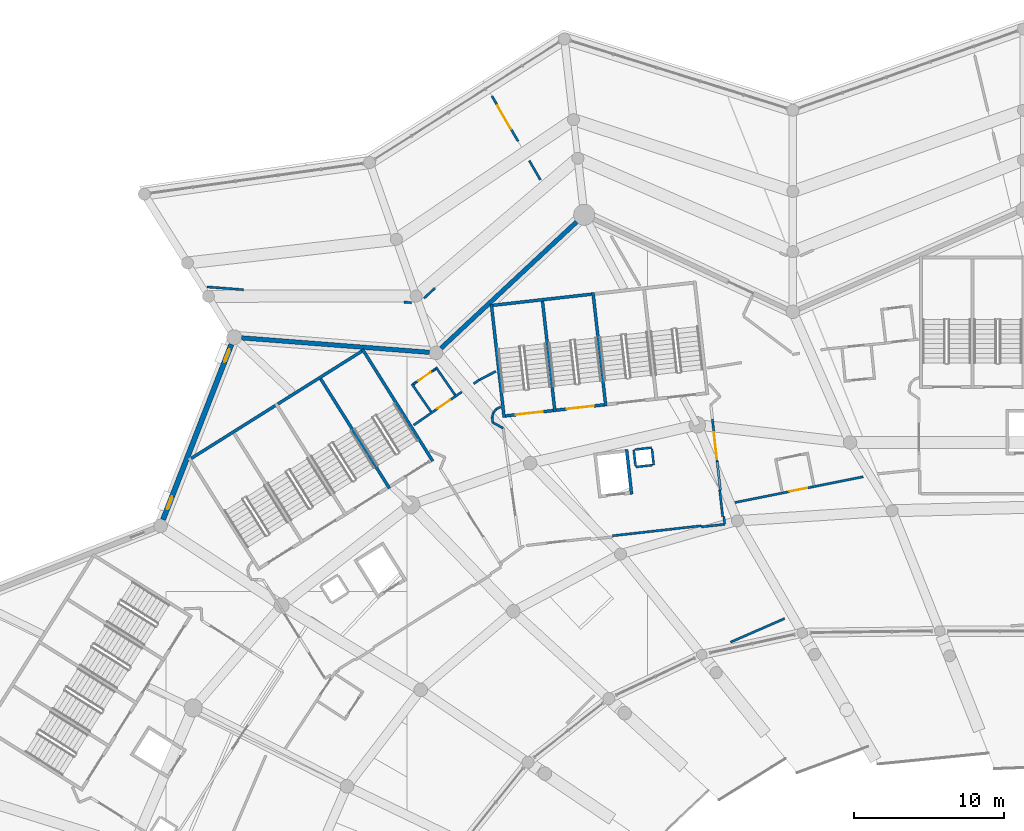
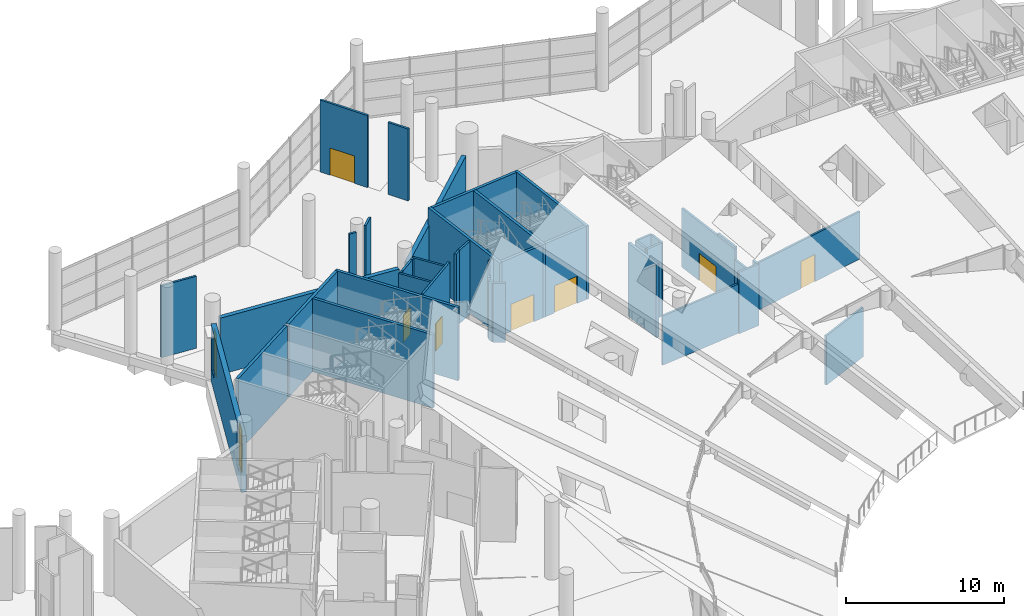
# One storey, part 164 of 249: 44 walls, 7 doors, 2 windows, 9 openings.
"""IFC4 building model written with IfcOpenShell, lengths in metres."""

import ifcopenshell
import ifcopenshell.guid

model = None  # the IFC model being written
_history = None  # IfcOwnerHistory: only IFC2X3 demands one
_inside = {}  # id of a spatial element -> (the spatial element, [elements in it])
_under = {}  # id of a project, library or spatial element -> (it, [spatial elements below it])
_declared = {}  # id of a project -> (the project, [libraries it declares])
_typed = {}  # id of a type object -> (the type object, [elements of that type])
_made_of = {}  # id of a material, layer set ... -> (it, [elements and type objects made of it])


def new_model(schema):
    """Start an empty IFC model of exactly this schema.

    Asked for "IFC4X3", IfcOpenShell would pick the latest addendum, in which some entities
    have other attributes; the version numbers below select the first issue.
    IFC2X3 requires an IfcOwnerHistory on every rooted entity: one is made here for all.
    """
    global model, _history
    if schema == "IFC4X3":
        model = ifcopenshell.file(schema_version=(4, 3, 0, 0))
    else:
        model = ifcopenshell.file(schema=schema)
    _inside.clear()
    _under.clear()
    _declared.clear()
    _typed.clear()
    _made_of.clear()
    _history = None
    if model.schema == "IFC2X3":
        org = make("IfcOrganization", Name="unknown")
        user = make(
            "IfcPersonAndOrganization",
            ThePerson=make("IfcPerson", FamilyName="unknown"),
            TheOrganization=org,
        )
        app = make(
            "IfcApplication",
            ApplicationDeveloper=org,
            Version="unknown",
            ApplicationFullName="unknown",
            ApplicationIdentifier="unknown",
        )
        _history = make(
            "IfcOwnerHistory",
            OwningUser=user,
            OwningApplication=app,
            ChangeAction="ADDED",
            CreationDate=0,
        )
    return model


def make(cls, **values):
    """One entity of the class cls with the attributes given. An attribute that is None is left unset."""
    return model.create_entity(
        cls, **{name: value for name, value in values.items() if value is not None}
    )


def rooted(cls, **values):
    """An entity with a GlobalId (a new one), such as an element, a storey or a relation."""
    return make(cls, GlobalId=ifcopenshell.guid.new(), OwnerHistory=_history, **values)


def si_unit(unit_type, name, prefix=None):
    """IfcSIUnit, for example si_unit("LENGTHUNIT", "METRE", prefix="MILLI")."""
    return make("IfcSIUnit", UnitType=unit_type, Prefix=prefix, Name=name)


def assignment(units):
    """IfcUnitAssignment: the units of a project."""
    return None if units is None else make("IfcUnitAssignment", Units=units)


def point(xyz):
    """IfcCartesianPoint."""
    return None if xyz is None else make("IfcCartesianPoint", Coordinates=xyz)


def direction(xyz):
    """IfcDirection."""
    return None if xyz is None else make("IfcDirection", DirectionRatios=xyz)


def frame(location, z_axis=None, x_axis=None):
    """IfcAxis2Placement3D, a coordinate frame: its origin and axes. An axis left out is left unset."""
    return make(
        "IfcAxis2Placement3D",
        Location=point(location),
        Axis=direction(z_axis),
        RefDirection=direction(x_axis),
    )


def frame_2d(location, x_axis=None):
    """IfcAxis2Placement2D, a coordinate frame in the plane: its origin and x axis."""
    return make(
        "IfcAxis2Placement2D", Location=point(location), RefDirection=direction(x_axis)
    )


def origin():
    """The frame at (0, 0, 0) with its axes left unset."""
    return frame((0.0, 0.0, 0.0))


def place(relative_to, where):
    """IfcLocalPlacement: puts the frame where relative to a parent placement (None: the world)."""
    return make(
        "IfcLocalPlacement", PlacementRelTo=relative_to, RelativePlacement=where
    )


def context(
    kind, dimensions, precision=None, world=None, true_north=None, identifier=None
):
    """IfcGeometricRepresentationContext, for example the 3D "Model" context."""
    return make(
        "IfcGeometricRepresentationContext",
        ContextIdentifier=identifier,
        ContextType=kind,
        CoordinateSpaceDimension=dimensions,
        Precision=precision,
        WorldCoordinateSystem=world,
        TrueNorth=true_north,
    )


def subcontext(parent, identifier, kind, view, scale=None):
    """IfcGeometricRepresentationSubContext, for example "Body" below "Model"."""
    return make(
        "IfcGeometricRepresentationSubContext",
        ContextIdentifier=identifier,
        ContextType=kind,
        ParentContext=parent,
        TargetScale=scale,
        TargetView=view,
    )


def project(units=None, contexts=None):
    """IfcProject with its units and contexts."""
    return rooted(
        "IfcProject",
        Name="project",
        RepresentationContexts=contexts,
        UnitsInContext=assignment(units),
    )


def spatial(cls, under=None, at=None, **own):
    """A site, building, storey or space (cls), placed at a placement, below another one or the project."""
    s = rooted(cls, ObjectPlacement=at, **own)
    if under is not None:
        _under.setdefault(under.id(), (under, []))[1].append(s)
    return s


def profile(cls, at=None, kind="AREA", **sizes):
    """A parametric profile (cls). Its sizes go by their IFC names, for example OverallWidth=200.0."""
    return make(cls, ProfileType=kind, Position=at, **sizes)


def rectangle(**sizes):
    """IfcRectangleProfileDef."""
    return profile("IfcRectangleProfileDef", **sizes)


def extrude(swept, where, along, depth):
    """IfcExtrudedAreaSolid: the profile swept, set in the frame where, extruded along a direction by depth."""
    return make(
        "IfcExtrudedAreaSolid",
        SweptArea=swept,
        Position=where,
        ExtrudedDirection=direction(along),
        Depth=depth,
    )


def shape(context_of_items, identifier, shape_type, items):
    """IfcShapeRepresentation: the items that make up one representation, for example the "Body"."""
    return make(
        "IfcShapeRepresentation",
        ContextOfItems=context_of_items,
        RepresentationIdentifier=identifier,
        RepresentationType=shape_type,
        Items=items,
    )


def material(Name=None, Category=None):
    """IfcMaterial."""
    return make("IfcMaterial", Name=Name, Category=Category)


def layer(
    of_material, thickness, ventilated=None, Name=None, Category=None, Priority=None
):
    """IfcMaterialLayer: one layer of a wall or slab, of a material (None: an air gap)."""
    return make(
        "IfcMaterialLayer",
        Material=of_material,
        LayerThickness=thickness,
        IsVentilated=ventilated,
        Name=Name,
        Category=Category,
        Priority=Priority,
    )


def layer_set(layers, Name=None):
    """IfcMaterialLayerSet."""
    return make("IfcMaterialLayerSet", MaterialLayers=layers, LayerSetName=Name)


def made_of(thing, what):
    """Note that an element or type object is made of a material, layer set ...; save() writes the relation."""
    if what is not None:
        _made_of.setdefault(what.id(), (what, []))[1].append(thing)
    return thing


def type_object(cls, material=None, **own):
    """A type object (cls), such as IfcWallType, which elements share."""
    return made_of(rooted(cls, **own), material)


def element(
    cls,
    number,
    at=None,
    inside=None,
    cuts=None,
    type_object=None,
    material=None,
    context=None,
    identifier="Body",
    shape_type=None,
    held_by="IfcProductDefinitionShape",
    body=None,
    shapes=None,
    **own,
):
    """One element of the class cls, such as IfcWall. Its Tag is "e" and its number.

    at: its placement. inside: the storey or other place that contains it. cuts: it is an
    opening in that element (IfcRelVoidsElement). A single representation is given by context,
    identifier, shape_type and body (its items); several are given by shapes. held_by: the class
    of the entity that holds the representations. save() writes the other relations.
    """
    e = rooted(cls, Tag="e%d" % number, ObjectPlacement=at, **own)
    if body is not None:
        shapes = [shape(context, identifier, shape_type, body)]
    if shapes is not None:
        e.Representation = make(held_by, Representations=shapes)
    if inside is not None:
        _inside.setdefault(inside.id(), (inside, []))[1].append(e)
    if cuts is not None:
        rooted(
            "IfcRelVoidsElement", RelatingBuildingElement=cuts, RelatedOpeningElement=e
        )
    if type_object is not None:
        _typed.setdefault(type_object.id(), (type_object, []))[1].append(e)
    return made_of(e, material)


def fill(opening, filler):
    """IfcRelFillsElement: the door or window that sits in an opening."""
    return rooted(
        "IfcRelFillsElement",
        RelatingOpeningElement=opening,
        RelatedBuildingElement=filler,
    )


def aggregate(whole, parts):
    """IfcRelAggregates: a whole, such as a stair, and the parts it consists of."""
    return rooted("IfcRelAggregates", RelatingObject=whole, RelatedObjects=parts)


def save(model, path):
    """Write the relations noted so far, then the file.

    IfcRelAggregates (storeys below a building ...), IfcRelContainedInSpatialStructure (elements
    in a storey), IfcRelDefinesByType, IfcRelAssociatesMaterial and IfcRelDeclares: one each for
    every whole, place, type object, material and project.
    """
    for whole, parts in _under.values():
        aggregate(whole, parts)
    for where, things in _inside.values():
        rooted(
            "IfcRelContainedInSpatialStructure",
            RelatedElements=things,
            RelatingStructure=where,
        )
    for kind, things in _typed.values():
        rooted("IfcRelDefinesByType", RelatedObjects=things, RelatingType=kind)
    for what, things in _made_of.values():
        rooted("IfcRelAssociatesMaterial", RelatedObjects=things, RelatingMaterial=what)
    for by, libraries in _declared.values():
        rooted("IfcRelDeclares", RelatingContext=by, RelatedDefinitions=libraries)
    model.write(path)


model = new_model("IFC4")

# Units and contexts
model_context = context("Model", 3, precision=1e-05, world=origin(), true_north=direction((0.0, 1.0)))
body_context = subcontext(model_context, "Body", "Model", "MODEL_VIEW")
ifc_project = project(units=[si_unit("LENGTHUNIT", "METRE"), si_unit("AREAUNIT", "SQUARE_METRE"), si_unit("VOLUMEUNIT", "CUBIC_METRE"), si_unit("PLANEANGLEUNIT", "RADIAN"), si_unit("MASSUNIT", "GRAM", prefix="KILO")], contexts=[model_context])

# Site, building, storey
site_placement = place(None, origin())
site = spatial("IfcSite", under=ifc_project, at=site_placement, CompositionType="ELEMENT")
building_placement = place(site_placement, origin())
building = spatial("IfcBuilding", under=site, at=building_placement, Name="Meseta Stadium", CompositionType="ELEMENT")
storey_placement = place(building_placement, frame((0.0, 0.0, 12.0)))
storey = spatial("IfcBuildingStorey", under=building, at=storey_placement, Name="L02", CompositionType="ELEMENT", Elevation=12.0)

# Walls
ifc_material_1 = material(Name="Concrete C40/50", Category="concrete")
ifc_layer_1 = layer(ifc_material_1, 0.199951171875)
ifc_layer_set_1 = layer_set([ifc_layer_1], Name="Core divider wall 200")
wall_type_1 = type_object("IfcWallType", Name="Core divider wall 200", PredefinedType="SHEAR", material=ifc_layer_set_1)
wall_1_placement = place(storey_placement, frame((-54.999267578125, 99.503662109375, 0.0), z_axis=(0.0, 0.0, 1.0), x_axis=(0.111982724367, -0.993710153638, 0.0)))
element("IfcWall", 1, at=wall_1_placement, inside=storey, type_object=wall_type_1, Name="Core 12 L02 stair B divider wall", PredefinedType="SHEAR", context=body_context, shape_type="SweptSolid", body=[
    extrude(rectangle(XDim=7.60009765625, YDim=0.199951171875, at=frame_2d((3.800048828125, 0.0))), origin(), (0.0, 0.0, 1.0), 5.64990234375),
])
wall_2_placement = place(storey_placement, frame((-69.8291015625, 94.314453125, 0.0), z_axis=(0.0, 0.0, 1.0), x_axis=(0.532032334759, -0.846724036963, 0.0)))
element("IfcWall", 2, at=wall_2_placement, inside=storey, type_object=wall_type_1, Name="Core 13 L02 stair A divider wall", PredefinedType="SHEAR", context=body_context, shape_type="SweptSolid", body=[
    extrude(rectangle(XDim=8.800048828125, YDim=0.199951171875, at=frame_2d((4.39990234375, 0.0))), origin(), (0.0, 0.0, 1.0), 5.64990234375),
])
ifc_material_2 = material(Name="Concrete C40/50", Category="concrete")
ifc_layer_2 = layer(ifc_material_2, 0.199951171875)
ifc_layer_set_2 = layer_set([ifc_layer_2], Name="Core shaft wall 200")
wall_type_2 = type_object("IfcWallType", Name="Core shaft wall 200", PredefinedType="SHEAR", material=ifc_layer_set_2)
wall_3_placement = place(storey_placement, frame((-51.62060546875, 99.884521484375, 0.0), z_axis=(0.0, 0.0, 1.0), x_axis=(0.111947429915, -0.993714130389, 0.0)))
element("IfcWall", 3, at=wall_3_placement, inside=storey, type_object=wall_type_2, Name="Core 12 L02 stair wall shared", PredefinedType="SHEAR", context=body_context, shape_type="SweptSolid", body=[
    extrude(rectangle(XDim=7.600341796875, YDim=0.199951171875, at=frame_2d((3.80029296875, 0.0))), origin(), (0.0, 0.0, 1.0), 5.64990234375),
])
wall_4_placement = place(storey_placement, frame((-58.3779296875, 99.123046875, 0.0), z_axis=(0.0, 0.0, 1.0), x_axis=(0.111982724367, -0.993710153638, 0.0)))
element("IfcWall", 4, at=wall_4_placement, inside=storey, type_object=wall_type_2, Name="Core 12 L02 stair wall B-side", PredefinedType="SHEAR", context=body_context, shape_type="SweptSolid", body=[
    extrude(rectangle(XDim=7.60009765625, YDim=0.199951171875, at=frame_2d((3.800048828125, 0.0))), origin(), (0.0, 0.0, 1.0), 5.64990234375),
])
wall_5_placement = place(storey_placement, frame((-51.708740234375, 99.773681640625, 0.0), z_axis=(0.0, 0.0, 1.0), x_axis=(-0.993715690617, -0.111933579504, 0.0)))
element("IfcWall", 5, at=wall_5_placement, inside=storey, type_object=wall_type_2, Name="Core 12 L02 stair B outer end wall", PredefinedType="SHEAR", context=body_context, shape_type="SweptSolid", body=[
    extrude(rectangle(XDim=6.60009765625, YDim=0.199951171875, at=frame_2d((3.300048828125, 0.0))), origin(), (0.0, 0.0, 1.0), 5.64990234375),
])

# Wall, opening, door
wall_6_placement = place(storey_placement, frame((-50.88037109375, 92.42041015625, 0.0), z_axis=(0.0, 0.0, 1.0), x_axis=(-0.993707560215, -0.112005735442, 0.0)))
wall_6 = element("IfcWall", 6, at=wall_6_placement, inside=storey, type_object=wall_type_2, Name="Core 12 L02 stair B1 inner end wall", PredefinedType="SHEAR", context=body_context, shape_type="SweptSolid", body=[
    extrude(rectangle(XDim=3.19970703125, YDim=0.199951171875, at=frame_2d((1.599853515625, 0.0))), origin(), (0.0, 0.0, 1.0), 5.64990234375),
])
opening_1_placement = place(wall_6_placement, frame((0.699951171875, 0.0, 0.0)))
opening_1 = element("IfcOpeningElement", 7, at=opening_1_placement, cuts=wall_6, Name="Opening D1082", PredefinedType="OPENING", context=body_context, shape_type="SweptSolid", body=[
    extrude(rectangle(XDim=1.800048828125, YDim=2.10009765625, at=frame_2d((0.89990234375, 1.050048828125))), frame((0.0, 0.10986328125, 0.0), z_axis=(0.0, -1.0, 0.0), x_axis=(1.0, 0.0, 0.0)), (0.0, 0.0, 1.0), 0.219970703125),
])
ifc_material_3 = material(Name="Steel", Category="steel")
door_type_1 = type_object("IfcDoorType", Name="Stair door 1800x2100", OperationType="DOUBLE_DOOR_SINGLE_SWING", PredefinedType="DOOR", material=ifc_material_3)
door_1_placement = place(opening_1_placement, origin())
door_1 = element("IfcDoor", 8, at=door_1_placement, inside=storey, type_object=door_type_1, Name="Stair B1 door 12 L02", OperationType="DOUBLE_DOOR_SINGLE_SWING", OverallHeight=2.10009765625, OverallWidth=1.800048828125, PredefinedType="DOOR", context=body_context, shape_type="SweptSolid", body=[
    extrude(rectangle(XDim=1.800048828125, YDim=2.10009765625, at=frame_2d((0.89990234375, 1.050048828125))), frame((0.0, 0.02490234375, 0.0), z_axis=(0.0, -1.0, 0.0), x_axis=(1.0, 0.0, 0.0)), (0.0, 0.0, 1.0), 0.050048828125),
])
fill(opening_1, door_1)

wall_7_placement = place(storey_placement, frame((-54.2587890625, 92.03955078125, 0.0), z_axis=(0.0, 0.0, 1.0), x_axis=(-0.993717005286, -0.11192190762, 0.0)))
wall_7 = element("IfcWall", 9, at=wall_7_placement, inside=storey, type_object=wall_type_2, Name="Core 12 L02 stair B2 inner end wall", PredefinedType="SHEAR", context=body_context, shape_type="SweptSolid", body=[
    extrude(rectangle(XDim=3.199951171875, YDim=0.199951171875, at=frame_2d((1.60009765625, 0.0))), origin(), (0.0, 0.0, 1.0), 5.64990234375),
])
opening_2_placement = place(wall_7_placement, frame((0.699951171875, 0.0, 0.0)))
opening_2 = element("IfcOpeningElement", 10, at=opening_2_placement, cuts=wall_7, Name="Opening D1076", PredefinedType="OPENING", context=body_context, shape_type="SweptSolid", body=[
    extrude(rectangle(XDim=1.800048828125, YDim=2.10009765625, at=frame_2d((0.89990234375, 1.050048828125))), frame((0.0, 0.10986328125, 0.0), z_axis=(0.0, -1.0, 0.0), x_axis=(1.0, 0.0, 0.0)), (0.0, 0.0, 1.0), 0.219970703125),
])
door_2_placement = place(opening_2_placement, origin())
door_2 = element("IfcDoor", 11, at=door_2_placement, inside=storey, type_object=door_type_1, Name="Stair B2 door 12 L02", OperationType="DOUBLE_DOOR_SINGLE_SWING", OverallHeight=2.10009765625, OverallWidth=1.800048828125, PredefinedType="DOOR", context=body_context, shape_type="SweptSolid", body=[
    extrude(rectangle(XDim=1.800048828125, YDim=2.10009765625, at=frame_2d((0.89990234375, 1.050048828125))), frame((0.0, 0.02490234375, 0.0), z_axis=(0.0, -1.0, 0.0), x_axis=(1.0, 0.0, 0.0)), (0.0, 0.0, 1.0), 0.050048828125),
])
fill(opening_2, door_2)

# Walls
wall_8_placement = place(storey_placement, frame((-49.388671875, 89.45361328125, 0.0), z_axis=(0.0, 0.0, 1.0), x_axis=(0.111976588553, -0.993710845073, 0.0)))
element("IfcWall", 12, at=wall_8_placement, inside=storey, type_object=wall_type_2, Name="Core 12 L02 lift shaft wall left", PredefinedType="SHEAR", context=body_context, shape_type="SweptSolid", body=[
    extrude(rectangle(XDim=3.0, YDim=0.199951171875, at=frame_2d((1.5, 0.0))), origin(), (0.0, 0.0, 1.0), 5.64990234375),
])
wall_9_placement = place(storey_placement, frame((-66.9501953125, 96.123291015625, 0.0), z_axis=(0.0, 0.0, 1.0), x_axis=(0.532032334759, -0.846724036963, 0.0)))
element("IfcWall", 13, at=wall_9_placement, inside=storey, type_object=wall_type_2, Name="Core 13 L02 stair wall A-side", PredefinedType="SHEAR", context=body_context, shape_type="SweptSolid", body=[
    extrude(rectangle(XDim=8.800048828125, YDim=0.199951171875, at=frame_2d((4.39990234375, 0.0))), origin(), (0.0, 0.0, 1.0), 5.64990234375),
])
for number, where, z_axis, x_axis, name in (
    (14, (-66.981689453125, 95.985595703125, 0.0), (0.0, 0.0, 1.0), (-0.846719870989, -0.532038964807, 0.0), "Core 13 L02 stair A outer end wall"),
    (15, (-72.739501953125, 92.36767578125, 0.0), (0.0, 0.0, 1.0), (-0.846719870989, -0.532038964807, 0.0), "Core 13 L02 stair B outer end wall"),
):
    element("IfcWall", number, at=place(storey_placement, frame(where, z_axis=z_axis, x_axis=x_axis)), inside=storey, type_object=wall_type_2, Name=name, PredefinedType="SHEAR", context=body_context, shape_type="SweptSolid", body=[
        extrude(rectangle(XDim=6.60009765625, YDim=0.199951171875, at=frame_2d((3.300048828125, 0.0))), origin(), (0.0, 0.0, 1.0), 5.64990234375),
    ])

# Wall, opening, door
ifc_material_4 = material(Name="Masonry blockwork", Category="masonry")
ifc_layer_3 = layer(ifc_material_4, 0.14990234375)
ifc_layer_set_3 = layer_set([ifc_layer_3], Name="Partition 150")
wall_type_3 = type_object("IfcWallType", Name="Partition 150", PredefinedType="PARTITIONING", material=ifc_layer_set_3)
wall_10_placement = place(storey_placement, frame((-42.189208984375, 85.923095703125, 0.0), z_axis=(0.0, 0.0, 1.0), x_axis=(0.980362096197, 0.197205883129, 0.0)))
wall_10 = element("IfcWall", 16, at=wall_10_placement, inside=storey, type_object=wall_type_3, Name="Partition L02 L02-cell10-0-0", PredefinedType="PARTITIONING", context=body_context, shape_type="SweptSolid", body=[
    extrude(rectangle(XDim=8.701904296875, YDim=0.14990234375, at=frame_2d((4.35107421875, 0.0))), origin(), (0.0, 0.0, 1.0), 3.655029296875),
])
opening_3_placement = place(wall_10_placement, frame((3.699951171875, 0.0, 0.0)))
opening_3 = element("IfcOpeningElement", 17, at=opening_3_placement, cuts=wall_10, Name="Opening D1100", PredefinedType="OPENING", context=body_context, shape_type="SweptSolid", body=[
    extrude(rectangle(XDim=1.199951171875, YDim=2.10009765625, at=frame_2d((0.60009765625, 1.050048828125))), frame((0.0, 0.0849609375, 0.0), z_axis=(0.0, -1.0, 0.0), x_axis=(1.0, 0.0, 0.0)), (0.0, 0.0, 1.0), 0.169921875),
])
ifc_material_5 = material(Name="Steel", Category="steel")
door_type_2 = type_object("IfcDoorType", Name="Fire door 1200x2100 EI2 60", OperationType="NOTDEFINED", PredefinedType="DOOR", material=ifc_material_5)
door_3_placement = place(opening_3_placement, origin())
door_3 = element("IfcDoor", 18, at=door_3_placement, inside=storey, type_object=door_type_2, Name="Room door L02 L02-cell10-0-0", OperationType="SINGLE_SWING_LEFT", OverallHeight=2.10009765625, OverallWidth=1.199951171875, PredefinedType="DOOR", context=body_context, shape_type="SweptSolid", body=[
    extrude(rectangle(XDim=1.199951171875, YDim=2.10009765625, at=frame_2d((0.60009765625, 1.050048828125))), frame((0.0, 0.02490234375, 0.0), z_axis=(0.0, -1.0, 0.0), x_axis=(1.0, 0.0, 0.0)), (0.0, 0.0, 1.0), 0.050048828125),
])
fill(opening_3, door_3)

# Walls
wall_11_placement = place(storey_placement, frame((-50.31591796875, 83.7138671875, 0.0), z_axis=(0.0, 0.0, 1.0), x_axis=(0.993716960296, 0.111922307073, 0.0)))
element("IfcWall", 19, at=wall_11_placement, inside=storey, type_object=wall_type_3, Name="Partition L02 L02-cell11-0-0", PredefinedType="PARTITIONING", context=body_context, shape_type="SweptSolid", body=[
    extrude(rectangle(XDim=5.93115234375, YDim=0.14990234375, at=frame_2d((2.965576171875, 0.0))), origin(), (0.0, 0.0, 1.0), 3.800537109375),
])
wall_12_placement = place(storey_placement, frame((-42.998291015625, 84.985595703125, 0.0), z_axis=(0.0, 0.0, 1.0), x_axis=(-0.111954160668, 0.993713372109, 0.0)))
element("IfcWall", 20, at=wall_12_placement, inside=storey, type_object=wall_type_3, Name="Partition L02 L02-cell11-0-0", PredefinedType="PARTITIONING", context=body_context, shape_type="SweptSolid", body=[
    extrude(rectangle(XDim=1.77734375, YDim=0.14990234375, at=frame_2d((0.888671875, 0.0))), origin(), (0.0, 0.0, 1.0), 3.800537109375),
])
wall_13_placement = place(storey_placement, frame((-38.880615234375, 78.21142578125, 0.0), z_axis=(0.0, 0.0, 1.0), x_axis=(-0.91648454672, -0.400070088389, 0.0)))
element("IfcWall", 21, at=wall_13_placement, inside=storey, type_object=wall_type_3, Name="Partition L02 L02-cell11-0-0", PredefinedType="PARTITIONING", context=body_context, shape_type="SweptSolid", body=[
    extrude(rectangle(XDim=3.917724609375, YDim=0.14990234375, at=frame_2d((1.958984375, 0.0))), origin(), (0.0, 0.0, 1.0), 3.800537109375),
])
wall_14_placement = place(storey_placement, frame((-58.07421875, 94.64111328125, 0.0), z_axis=(0.0, 0.0, 1.0), x_axis=(-0.89288454256, -0.450285680049, 0.0)))
element("IfcWall", 22, at=wall_14_placement, inside=storey, type_object=wall_type_3, Name="Partition L02 L02-cell11-2-0", PredefinedType="PARTITIONING", context=body_context, shape_type="SweptSolid", body=[
    extrude(rectangle(XDim=1.20703125, YDim=0.14990234375, at=frame_2d((0.603515625, 0.0))), origin(), (0.0, 0.0, 1.0), 5.64990234375),
])
wall_15_placement = place(storey_placement, frame((-59.15185546875, 94.09765625, 0.0), z_axis=(0.0, 0.0, 1.0), x_axis=(-0.823188427996, -0.567768273165, 0.0)))
element("IfcWall", 23, at=wall_15_placement, inside=storey, type_object=wall_type_3, Name="Partition L02 L02-cell11-2-0", PredefinedType="PARTITIONING", context=body_context, shape_type="SweptSolid", body=[
    extrude(rectangle(XDim=0.484619140625, YDim=0.14990234375, at=frame_2d((0.2421875, 0.0))), origin(), (0.0, 0.0, 1.0), 5.64990234375),
])

# Wall, opening, door
wall_16_placement = place(storey_placement, frame((-60.348388671875, 93.272216796875, 0.0), z_axis=(0.0, 0.0, 1.0), x_axis=(-0.823118384127, -0.567869814053, 0.0)))
wall_16 = element("IfcWall", 24, at=wall_16_placement, inside=storey, type_object=wall_type_3, Name="Partition L02 L02-cell11-2-0", PredefinedType="PARTITIONING", context=body_context, shape_type="SweptSolid", body=[
    extrude(rectangle(XDim=3.876708984375, YDim=0.14990234375, at=frame_2d((1.9384765625, 0.0))), origin(), (0.0, 0.0, 1.0), 5.64990234375),
])
opening_4_placement = place(wall_16_placement, frame((0.949951171875, 0.0, 0.0)))
opening_4 = element("IfcOpeningElement", 25, at=opening_4_placement, cuts=wall_16, Name="Opening D1071", PredefinedType="OPENING", context=body_context, shape_type="SweptSolid", body=[
    extrude(rectangle(XDim=1.0, YDim=2.10009765625, at=frame_2d((0.5, 1.050048828125))), frame((0.0, 0.0849609375, 0.0), z_axis=(0.0, -1.0, 0.0), x_axis=(1.0, 0.0, 0.0)), (0.0, 0.0, 1.0), 0.169921875),
])
ifc_material_6 = material(Name="Steel", Category="steel")
door_type_3 = type_object("IfcDoorType", Name="Fire door 1000x2100 EI2 60", OperationType="NOTDEFINED", PredefinedType="DOOR", material=ifc_material_6)
door_4_placement = place(opening_4_placement, origin())
door_4 = element("IfcDoor", 26, at=door_4_placement, inside=storey, type_object=door_type_3, Name="Room door L02 L02-cell11-2-0", OperationType="SINGLE_SWING_LEFT", OverallHeight=2.10009765625, OverallWidth=1.0, PredefinedType="DOOR", context=body_context, shape_type="SweptSolid", body=[
    extrude(rectangle(XDim=1.0, YDim=2.10009765625, at=frame_2d((0.5, 1.050048828125))), frame((0.0, 0.02490234375, 0.0), z_axis=(0.0, -1.0, 0.0), x_axis=(1.0, 0.0, 0.0)), (0.0, 0.0, 1.0), 0.050048828125),
])
fill(opening_4, door_4)

# Wall
wall_17_placement = place(storey_placement, frame((-55.115478515625, 107.370849609375, 0.0), z_axis=(0.0, 0.0, 1.0), x_axis=(-0.500504874148, 0.865733718272, 0.0)))
element("IfcWall", 27, at=wall_17_placement, inside=storey, type_object=wall_type_3, Name="Partition L02 L02-ring10-0", PredefinedType="PARTITIONING", context=body_context, shape_type="SweptSolid", body=[
    extrude(rectangle(XDim=1.4853515625, YDim=0.14990234375, at=frame_2d((0.74267578125, 0.0))), origin(), (0.0, 0.0, 1.0), 5.550048828125),
])

# Wall, opening, door
wall_18_placement = place(storey_placement, frame((-56.602294921875, 109.942626953125, 0.0), z_axis=(0.0, 0.0, 1.0), x_axis=(-0.500389094417, 0.865800643444, 0.0)))
wall_18 = element("IfcWall", 28, at=wall_18_placement, inside=storey, type_object=wall_type_3, Name="Partition L02 L02-ring10-0", PredefinedType="PARTITIONING", context=body_context, shape_type="SweptSolid", body=[
    extrude(rectangle(XDim=3.465576171875, YDim=0.14990234375, at=frame_2d((1.73291015625, 0.0))), origin(), (0.0, 0.0, 1.0), 5.550048828125),
])
opening_5_placement = place(wall_18_placement, frame((0.949951171875, 0.0, 0.0)))
opening_5 = element("IfcOpeningElement", 29, at=opening_5_placement, cuts=wall_18, Name="Opening D1074", PredefinedType="OPENING", context=body_context, shape_type="SweptSolid", body=[
    extrude(rectangle(XDim=1.800048828125, YDim=2.10009765625, at=frame_2d((0.89990234375, 1.050048828125))), frame((0.0, 0.0849609375, 0.0), z_axis=(0.0, -1.0, 0.0), x_axis=(1.0, 0.0, 0.0)), (0.0, 0.0, 1.0), 0.169921875),
])
ifc_material_7 = material(Name="Steel", Category="steel")
door_type_4 = type_object("IfcDoorType", Name="Fire double door 1800x2100 EI2 60", OperationType="DOUBLE_DOOR_SINGLE_SWING", PredefinedType="DOOR", material=ifc_material_7)
door_5_placement = place(opening_5_placement, origin())
door_5 = element("IfcDoor", 30, at=door_5_placement, inside=storey, type_object=door_type_4, Name="Room door L02 L02-ring10-0", OperationType="DOUBLE_DOOR_SINGLE_SWING", OverallHeight=2.10009765625, OverallWidth=1.800048828125, PredefinedType="DOOR", context=body_context, shape_type="SweptSolid", body=[
    extrude(rectangle(XDim=1.800048828125, YDim=2.10009765625, at=frame_2d((0.89990234375, 1.050048828125))), frame((0.0, 0.02490234375, 0.0), z_axis=(0.0, -1.0, 0.0), x_axis=(1.0, 0.0, 0.0)), (0.0, 0.0, 1.0), 0.050048828125),
])
fill(opening_5, door_5)

# Walls
wall_19_placement = place(storey_placement, frame((-62.123046875, 100.180419921875, 0.0), z_axis=(0.0, 0.0, 1.0), x_axis=(-0.731655638736, -0.681674428379, 0.0)))
element("IfcWall", 31, at=wall_19_placement, inside=storey, type_object=wall_type_3, Name="Partition L02 L02-ring11-0", PredefinedType="PARTITIONING", context=body_context, shape_type="SweptSolid", body=[
    extrude(rectangle(XDim=0.98681640625, YDim=0.14990234375, at=frame_2d((0.493408203125, 0.0))), origin(), (0.0, 0.0, 1.0), 5.550048828125),
])
wall_20_placement = place(storey_placement, frame((-63.691162109375, 99.208740234375, 0.0), z_axis=(0.0, 0.0, 1.0), x_axis=(-0.997054485502, 0.076696498885, 0.0)))
element("IfcWall", 32, at=wall_20_placement, inside=storey, type_object=wall_type_3, Name="Partition L02 L02-ring11-0", PredefinedType="PARTITIONING", context=body_context, shape_type="SweptSolid", body=[
    extrude(rectangle(XDim=0.487060546875, YDim=0.14990234375, at=frame_2d((0.24365234375, 0.0))), origin(), (0.0, 0.0, 1.0), 5.550048828125),
])
wall_21_placement = place(storey_placement, frame((-74.8564453125, 100.0703125, 0.0), z_axis=(0.0, 0.0, 1.0), x_axis=(-0.99703735319, 0.076918894578, 0.0)))
element("IfcWall", 33, at=wall_21_placement, inside=storey, type_object=wall_type_3, Name="Partition L02 L02-ring11-0", PredefinedType="PARTITIONING", context=body_context, shape_type="SweptSolid", body=[
    extrude(rectangle(XDim=2.4345703125, YDim=0.14990234375, at=frame_2d((1.21728515625, 0.0))), origin(), (0.0, 0.0, 1.0), 5.550048828125),
])
wall_22_placement = place(storey_placement, frame((-47.7158203125, 89.566650390625, 0.0), z_axis=(0.0, 0.0, 1.0), x_axis=(-0.993710504932, -0.11197960702, 0.0)))
element("IfcWall", 34, at=wall_22_placement, inside=storey, type_object=wall_type_3, Name="Pressurisation shaft wall L02 core 12", PredefinedType="PARTITIONING", context=body_context, shape_type="SweptSolid", body=[
    extrude(rectangle(XDim=1.125, YDim=0.14990234375, at=frame_2d((0.5625, 0.0))), origin(), (0.0, 0.0, 1.0), 5.64990234375),
])
wall_23_placement = place(storey_placement, frame((-48.908203125, 89.432373046875, 0.0), z_axis=(0.0, 0.0, 1.0), x_axis=(0.111951742856, -0.993713644503, 0.0)))
element("IfcWall", 35, at=wall_23_placement, inside=storey, type_object=wall_type_3, Name="Pressurisation shaft wall L02 core 12", PredefinedType="PARTITIONING", context=body_context, shape_type="SweptSolid", body=[
    extrude(rectangle(XDim=1.0751953125, YDim=0.14990234375, at=frame_2d((0.53759765625, 0.0))), origin(), (0.0, 0.0, 1.0), 5.64990234375),
])
wall_24_placement = place(storey_placement, frame((-48.779541015625, 88.28955078125, 0.0), z_axis=(0.0, 0.0, 1.0), x_axis=(0.993710504932, 0.11197960702, 0.0)))
element("IfcWall", 36, at=wall_24_placement, inside=storey, type_object=wall_type_3, Name="Pressurisation shaft wall L02 core 12", PredefinedType="PARTITIONING", context=body_context, shape_type="SweptSolid", body=[
    extrude(rectangle(XDim=1.125, YDim=0.14990234375, at=frame_2d((0.5625, 0.0))), origin(), (0.0, 0.0, 1.0), 5.64990234375),
])
wall_25_placement = place(storey_placement, frame((-47.587158203125, 88.423828125, 0.0), z_axis=(0.0, 0.0, 1.0), x_axis=(-0.111951742856, 0.993713644503, 0.0)))
element("IfcWall", 37, at=wall_25_placement, inside=storey, type_object=wall_type_3, Name="Pressurisation shaft wall L02 core 12", PredefinedType="PARTITIONING", context=body_context, shape_type="SweptSolid", body=[
    extrude(rectangle(XDim=1.0751953125, YDim=0.14990234375, at=frame_2d((0.53759765625, 0.0))), origin(), (0.0, 0.0, 1.0), 5.64990234375),
])
wall_26_placement = place(storey_placement, frame((-57.74609375, 92.279296875, 0.0), z_axis=(0.0, 0.0, 1.0), x_axis=(-0.893189909604, -0.449679647506, 0.0)))
element("IfcWall", 38, at=wall_26_placement, inside=storey, type_object=wall_type_3, Name="Stair vestibule wall L02 core 12", PredefinedType="PARTITIONING", context=body_context, shape_type="SweptSolid", body=[
    extrude(rectangle(XDim=0.356201171875, YDim=0.14990234375, at=frame_2d((0.17822265625, 0.0))), origin(), (0.0, 0.0, 1.0), 5.64990234375),
])
wall_27_placement = place(storey_placement, frame((-58.064208984375, 92.119140625, 0.0), z_axis=(0.0, 0.0, 1.0), x_axis=(-0.623858642008, -0.781537199878, 0.0)))
element("IfcWall", 39, at=wall_27_placement, inside=storey, type_object=wall_type_3, Name="Stair vestibule wall L02 core 12", PredefinedType="PARTITIONING", context=body_context, shape_type="SweptSolid", body=[
    extrude(rectangle(XDim=0.284912109375, YDim=0.14990234375, at=frame_2d((0.142578125, 0.0))), origin(), (0.0, 0.0, 1.0), 4.550048828125),
])
wall_28_placement = place(storey_placement, frame((-58.241943359375, 91.896484375, 0.0), z_axis=(0.0, 0.0, 1.0), x_axis=(-0.277006965163, -0.960867910408, 0.0)))
element("IfcWall", 40, at=wall_28_placement, inside=storey, type_object=wall_type_3, Name="Stair vestibule wall L02 core 12", PredefinedType="PARTITIONING", context=body_context, shape_type="SweptSolid", body=[
    extrude(rectangle(XDim=0.281982421875, YDim=0.14990234375, at=frame_2d((0.14111328125, 0.0))), origin(), (0.0, 0.0, 1.0), 4.550048828125),
])
wall_29_placement = place(storey_placement, frame((-58.320068359375, 91.62548828125, 0.0), z_axis=(0.0, 0.0, 1.0), x_axis=(0.07351223589, -0.997294315222, 0.0)))
element("IfcWall", 41, at=wall_29_placement, inside=storey, type_object=wall_type_3, Name="Stair vestibule wall L02 core 12", PredefinedType="PARTITIONING", context=body_context, shape_type="SweptSolid", body=[
    extrude(rectangle(XDim=0.375244140625, YDim=0.14990234375, at=frame_2d((0.1875, 0.0))), origin(), (0.0, 0.0, 1.0), 4.550048828125),
])
wall_30_placement = place(storey_placement, frame((-58.29248046875, 91.251220703125, 0.0), z_axis=(0.0, 0.0, 1.0), x_axis=(0.876841522973, -0.480779516608, 0.0)))
element("IfcWall", 42, at=wall_30_placement, inside=storey, type_object=wall_type_3, Name="Stair vestibule wall L02 core 12", PredefinedType="PARTITIONING", context=body_context, shape_type="SweptSolid", body=[
    extrude(rectangle(XDim=0.79833984375, YDim=0.14990234375, at=frame_2d((0.399169921875, 0.0))), origin(), (0.0, 0.0, 1.0), 4.550048828125),
])
wall_31_placement = place(storey_placement, frame((-44.40380859375, 84.304443359375, 0.0), z_axis=(0.0, 0.0, 1.0), x_axis=(0.993711371041, 0.111971920876, 0.0)))
element("IfcWall", 43, at=wall_31_placement, inside=storey, type_object=wall_type_3, Name="Stair vestibule wall L02 core 12", PredefinedType="PARTITIONING", context=body_context, shape_type="SweptSolid", body=[
    extrude(rectangle(XDim=1.548095703125, YDim=0.14990234375, at=frame_2d((0.77392578125, 0.0))), origin(), (0.0, 0.0, 1.0), 4.75),
])
wall_32_placement = place(storey_placement, frame((-42.865478515625, 84.477783203125, 0.0), z_axis=(0.0, 0.0, 1.0), x_axis=(-0.112167534238, 0.993689309726, 0.0)))
element("IfcWall", 44, at=wall_32_placement, inside=storey, type_object=wall_type_3, Name="Stair vestibule wall L02 core 12", PredefinedType="PARTITIONING", context=body_context, shape_type="SweptSolid", body=[
    extrude(rectangle(XDim=0.50927734375, YDim=0.14990234375, at=frame_2d((0.254638671875, 0.0))), origin(), (0.0, 0.0, 1.0), 4.75),
])

# Wall, opening, door
wall_33_placement = place(storey_placement, frame((-43.153564453125, 86.7666015625, 0.0), z_axis=(0.0, 0.0, 1.0), x_axis=(-0.111890590311, 0.993720532041, 0.0)))
wall_33 = element("IfcWall", 45, at=wall_33_placement, inside=storey, type_object=wall_type_3, Name="Stair vestibule wall L02 core 12", PredefinedType="PARTITIONING", context=body_context, shape_type="SweptSolid", body=[
    extrude(rectangle(XDim=5.692626953125, YDim=0.14990234375, at=frame_2d((2.84619140625, 0.0))), origin(), (0.0, 0.0, 1.0), 4.550048828125),
])
opening_6_placement = place(wall_33_placement, frame((2.050048828125, 0.0, 0.0)))
opening_6 = element("IfcOpeningElement", 46, at=opening_6_placement, cuts=wall_33, Name="Opening D1094", PredefinedType="OPENING", context=body_context, shape_type="SweptSolid", body=[
    extrude(rectangle(XDim=1.800048828125, YDim=2.10009765625, at=frame_2d((0.89990234375, 1.050048828125))), frame((0.0, 0.0849609375, 0.0), z_axis=(0.0, -1.0, 0.0), x_axis=(1.0, 0.0, 0.0)), (0.0, 0.0, 1.0), 0.169921875),
])
door_6_placement = place(opening_6_placement, origin())
door_6 = element("IfcDoor", 47, at=door_6_placement, inside=storey, type_object=door_type_4, Name="Stair vestibule door L02 core 12", OperationType="DOUBLE_DOOR_SINGLE_SWING", OverallHeight=2.10009765625, OverallWidth=1.800048828125, PredefinedType="DOOR", context=body_context, shape_type="SweptSolid", body=[
    extrude(rectangle(XDim=1.800048828125, YDim=2.10009765625, at=frame_2d((0.89990234375, 1.050048828125))), frame((0.0, 0.02490234375, 0.0), z_axis=(0.0, -1.0, 0.0), x_axis=(1.0, 0.0, 0.0)), (0.0, 0.0, 1.0), 0.050048828125),
])
fill(opening_6, door_6)

# Walls
wall_34_placement = place(storey_placement, frame((-43.153564453125, 86.7666015625, 4.550048828125), z_axis=(0.0, 0.0, 1.0), x_axis=(-0.111928169471, 0.993716299997, 0.0)))
element("IfcWall", 48, at=wall_34_placement, inside=storey, type_object=wall_type_3, Name="Stair vestibule wall L02 core 12", PredefinedType="PARTITIONING", context=body_context, shape_type="SweptSolid", body=[
    extrude(rectangle(XDim=1.897705078125, YDim=0.14990234375, at=frame_2d((0.94873046875, 0.0))), origin(), (0.0, 0.0, 1.0), 0.199951171875),
])
wall_35_placement = place(storey_placement, frame((-60.781982421875, 93.064208984375, 0.0), z_axis=(0.0, 0.0, 1.0), x_axis=(-0.567951008847, 0.823062361884, 0.0)))
element("IfcWall", 49, at=wall_35_placement, inside=storey, type_object=wall_type_3, Name="Partition L02 L02-cell11-2-0 vestibule", PredefinedType="PARTITIONING", context=body_context, shape_type="SweptSolid", body=[
    extrude(rectangle(XDim=2.25, YDim=0.14990234375, at=frame_2d((1.125, 0.0))), origin(), (0.0, 0.0, 1.0), 5.64990234375),
])
wall_36_placement = place(storey_placement, frame((-62.38720703125, 91.956787109375, 0.0), z_axis=(0.0, 0.0, 1.0), x_axis=(-0.567877492691, 0.823113086578, 0.0)))
element("IfcWall", 50, at=wall_36_placement, inside=storey, type_object=wall_type_3, Name="Partition L02 L02-cell11-2-0 vestibule", PredefinedType="PARTITIONING", context=body_context, shape_type="SweptSolid", body=[
    extrude(rectangle(XDim=2.249755859375, YDim=0.14990234375, at=frame_2d((1.125, 0.0))), origin(), (0.0, 0.0, 1.0), 5.64990234375),
])
wall_37_placement = place(storey_placement, frame((-62.078857421875, 94.811767578125, 0.0), z_axis=(0.0, 0.0, 1.0), x_axis=(-0.82350760101, -0.567305236251, 0.0)))
element("IfcWall", 51, at=wall_37_placement, inside=storey, type_object=wall_type_3, Name="Partition L02 L02-cell11-2-0 vestibule", PredefinedType="PARTITIONING", context=body_context, shape_type="SweptSolid", body=[
    extrude(rectangle(XDim=0.2001953125, YDim=0.14990234375, at=frame_2d((0.10009765625, 0.0))), origin(), (0.0, 0.0, 1.0), 5.64990234375),
])

# Wall, opening, door
wall_38_placement = place(storey_placement, frame((-62.24365234375, 94.6982421875, 0.0), z_axis=(0.0, 0.0, 1.0), x_axis=(-0.823145326685, -0.567830759256, 0.0)))
wall_38 = element("IfcWall", 52, at=wall_38_placement, inside=storey, type_object=wall_type_3, Name="Partition L02 L02-cell11-2-0 vestibule", PredefinedType="PARTITIONING", context=body_context, shape_type="SweptSolid", body=[
    extrude(rectangle(XDim=1.39990234375, YDim=0.14990234375, at=frame_2d((0.699951171875, 0.0))), origin(), (0.0, 0.0, 1.0), 5.64990234375),
])
opening_7_placement = place(wall_38_placement, frame((0.199951171875, 0.0, 0.0)))
opening_7 = element("IfcOpeningElement", 53, at=opening_7_placement, cuts=wall_38, Name="Opening D1069", PredefinedType="OPENING", context=body_context, shape_type="SweptSolid", body=[
    extrude(rectangle(XDim=1.0, YDim=2.10009765625, at=frame_2d((0.5, 1.050048828125))), frame((0.0, 0.0849609375, 0.0), z_axis=(0.0, -1.0, 0.0), x_axis=(1.0, 0.0, 0.0)), (0.0, 0.0, 1.0), 0.169921875),
])
door_7_placement = place(opening_7_placement, origin())
door_7 = element("IfcDoor", 54, at=door_7_placement, inside=storey, type_object=door_type_3, Name="Vestibule door L02 L02-cell11-2-0", OperationType="SINGLE_SWING_RIGHT", OverallHeight=2.10009765625, OverallWidth=1.0, PredefinedType="DOOR", context=body_context, shape_type="SweptSolid", body=[
    extrude(rectangle(XDim=1.0, YDim=2.10009765625, at=frame_2d((0.5, 1.050048828125))), frame((0.0, 0.02490234375, 0.0), z_axis=(0.0, -1.0, 0.0), x_axis=(1.0, 0.0, 0.0)), (0.0, 0.0, 1.0), 0.050048828125),
])
fill(opening_7, door_7)

# Walls
wall_39_placement = place(storey_placement, frame((-63.39599609375, 93.9033203125, 0.0), z_axis=(0.0, 0.0, 1.0), x_axis=(-0.8225435075, -0.568702187678, 0.0)))
element("IfcWall", 55, at=wall_39_placement, inside=storey, type_object=wall_type_3, Name="Partition L02 L02-cell11-2-0 vestibule", PredefinedType="PARTITIONING", context=body_context, shape_type="SweptSolid", body=[
    extrude(rectangle(XDim=0.199951171875, YDim=0.14990234375, at=frame_2d((0.10009765625, 0.0))), origin(), (0.0, 0.0, 1.0), 5.64990234375),
])
ifc_material_8 = material(Name="White precast concrete C40/50", Category="concrete")
ifc_layer_4 = layer(ifc_material_8, 0.300048828125)
ifc_layer_set_4 = layer_set([ifc_layer_4], Name="Pleated panel wall 300 concourse")
wall_type_4 = type_object("IfcWallType", Name="Pleated panel wall 300 concourse", PredefinedType="SOLIDWALL", material=ifc_layer_set_4)
wall_40_placement = place(storey_placement, frame((-61.72265625, 96.17919921875, 0.0), z_axis=(0.0, 0.0, 1.0), x_axis=(0.731540985517, 0.681797467368, 0.0)))
element("IfcWall", 56, at=wall_40_placement, inside=storey, type_object=wall_type_4, Name="Pleated facade panel L02 F22", PredefinedType="SOLIDWALL", context=body_context, shape_type="SweptSolid", body=[
    extrude(rectangle(XDim=12.314208984375, YDim=0.300048828125, at=frame_2d((6.1572265625, 0.0))), origin(), (0.0, 0.0, 1.0), 4.35009765625),
])
wall_41_placement = place(storey_placement, frame((-74.9765625, 96.8701171875, 0.0), z_axis=(0.0, 0.0, 1.0), x_axis=(0.997035289114, -0.076945644854, 0.0)))
element("IfcWall", 57, at=wall_41_placement, inside=storey, type_object=wall_type_4, Name="Pleated facade panel L02 F23", PredefinedType="SOLIDWALL", context=body_context, shape_type="SweptSolid", body=[
    extrude(rectangle(XDim=12.513916015625, YDim=0.300048828125, at=frame_2d((6.2568359375, 0.0))), origin(), (0.0, 0.0, 1.0), 4.35009765625),
])

# Wall, openings, windows
ifc_material_9 = material(Name="White precast concrete C40/50", Category="concrete")
ifc_layer_5 = layer(ifc_material_9, 0.35009765625)
ifc_layer_set_5 = layer_set([ifc_layer_5], Name="Pleated panel wall 350 gate")
wall_type_5 = type_object("IfcWallType", Name="Pleated panel wall 350 gate", PredefinedType="SOLIDWALL", material=ifc_layer_set_5)
wall_42_placement = place(storey_placement, frame((-80.2021484375, 84.784423828125, 0.0), z_axis=(0.0, 0.0, 1.0), x_axis=(0.363293457312, 0.931674762927, 0.0)))
wall_42 = element("IfcWall", 58, at=wall_42_placement, inside=storey, type_object=wall_type_5, Name="Pleated facade panel L02 F24", PredefinedType="SOLIDWALL", context=body_context, shape_type="SweptSolid", body=[
    extrude(rectangle(XDim=12.513671875, YDim=0.35009765625, at=frame_2d((6.2568359375, 0.0))), origin(), (0.0, 0.0, 1.0), 4.35009765625),
])
opening_8_placement = place(wall_42_placement, frame((0.750244140625, 0.0, 1.0)))
opening_8 = element("IfcOpeningElement", 59, at=opening_8_placement, cuts=wall_42, Name="Opening W010", PredefinedType="OPENING", context=body_context, shape_type="SweptSolid", body=[
    extrude(rectangle(XDim=0.89990234375, YDim=3.25, at=frame_2d((0.449951171875, 1.625))), frame((0.0, 0.18505859375, 0.0), z_axis=(0.0, -1.0, 0.0), x_axis=(1.0, 0.0, 0.0)), (0.0, 0.0, 1.0), 0.3701171875),
])
opening_9_placement = place(wall_42_placement, frame((11.250244140625, 0.0, 1.0)))
opening_9 = element("IfcOpeningElement", 60, at=opening_9_placement, cuts=wall_42, Name="Opening W011", PredefinedType="OPENING", context=body_context, shape_type="SweptSolid", body=[
    extrude(rectangle(XDim=0.89990234375, YDim=3.25, at=frame_2d((0.449951171875, 1.625))), frame((0.0, 0.18505859375, 0.0), z_axis=(0.0, -1.0, 0.0), x_axis=(1.0, 0.0, 0.0)), (0.0, 0.0, 1.0), 0.3701171875),
])
ifc_material_10 = material(Name="Aluminium", Category="aluminium")
window_type = type_object("IfcWindowType", Name="Slot window 900x3250", PartitioningType="SINGLE_PANEL", PredefinedType="WINDOW", material=ifc_material_10)
window_1_placement = place(opening_8_placement, origin())
window_1 = element("IfcWindow", 61, at=window_1_placement, inside=storey, type_object=window_type, Name="Slot window L02 F24.1", OverallHeight=3.25, OverallWidth=0.89990234375, PartitioningType="SINGLE_PANEL", PredefinedType="WINDOW", context=body_context, shape_type="SweptSolid", body=[
    extrude(rectangle(XDim=0.89990234375, YDim=3.25, at=frame_2d((0.449951171875, 1.625))), frame((0.0, 0.030029296875, 0.0), z_axis=(0.0, -1.0, 0.0), x_axis=(1.0, 0.0, 0.0)), (0.0, 0.0, 1.0), 0.06005859375),
])
fill(opening_8, window_1)
window_2_placement = place(opening_9_placement, origin())
window_2 = element("IfcWindow", 62, at=window_2_placement, inside=storey, type_object=window_type, Name="Slot window L02 F24.6", OverallHeight=3.25, OverallWidth=0.89990234375, PartitioningType="SINGLE_PANEL", PredefinedType="WINDOW", context=body_context, shape_type="SweptSolid", body=[
    extrude(rectangle(XDim=0.89990234375, YDim=3.25, at=frame_2d((0.449951171875, 1.625))), frame((0.0, 0.030029296875, 0.0), z_axis=(0.0, -1.0, 0.0), x_axis=(1.0, 0.0, 0.0)), (0.0, 0.0, 1.0), 0.06005859375),
])
fill(opening_9, window_2)

save(model, "model.ifc")
